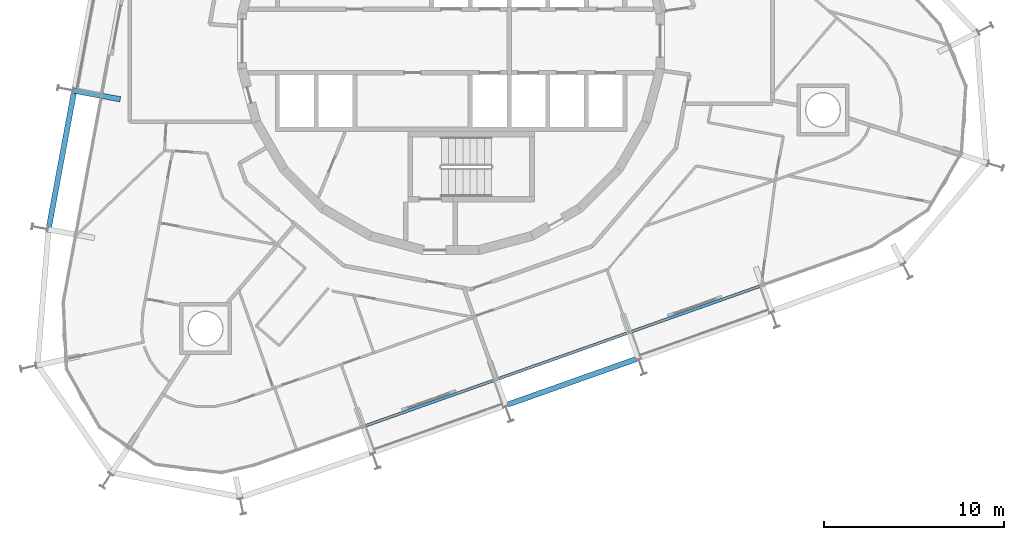
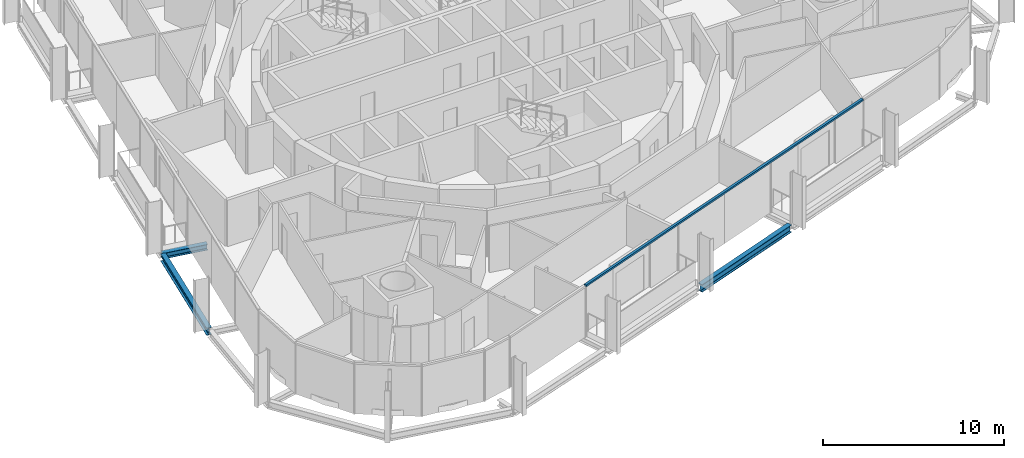
# One storey, part 3 of 17: 3 beams, 1 member, 1 element without a shape of its own.
"""IFC4 building model written with IfcOpenShell, lengths in metres."""

from ifc_helpers import new_model, si_unit, direction, frame, origin, origin_2d, place, context, subcontext, project, spatial, rectangle, i_section, extrude, material, layer, layer_set, material_profile, profile_set, type_object, element, aggregate, save


model = new_model("IFC4")

# Units and contexts
model_context = context("Model", 3, precision=1e-05, world=origin(), true_north=direction((0.0, 1.0)))
body_context = subcontext(model_context, "Body", "Model", "MODEL_VIEW")
ifc_project = project(units=[si_unit("LENGTHUNIT", "METRE"), si_unit("AREAUNIT", "SQUARE_METRE"), si_unit("VOLUMEUNIT", "CUBIC_METRE"), si_unit("PLANEANGLEUNIT", "RADIAN"), si_unit("MASSUNIT", "GRAM", prefix="KILO")], contexts=[model_context])

# Site, building, storey
site_placement = place(None, origin())
site = spatial("IfcSite", under=ifc_project, at=site_placement, CompositionType="ELEMENT")
building_placement = place(site_placement, origin())
building = spatial("IfcBuilding", under=site, at=building_placement, Name="Spindle Arch Residences", CompositionType="ELEMENT")
storey_placement = place(building_placement, frame((0.0, 0.0, 172.699951171875)))
storey = spatial("IfcBuildingStorey", under=building, at=storey_placement, Name="L43", CompositionType="ELEMENT", Elevation=172.699951171875)

# Curtain wall, member
ifc_material_1 = material(Name="Aluminium bronze unitised frame with tinted glass", Category="aluminium")
ifc_layer = layer(ifc_material_1, 0.159912109375)
ifc_layer_set = layer_set([ifc_layer], Name="CW-C typical residential unitised wall")
curtain_wall_type = type_object("IfcCurtainWallType", Name="CW-C typical residential unitised wall", PredefinedType="NOTDEFINED", material=ifc_layer_set)
curtain_wall_placement = place(storey_placement, origin())
curtain_wall = element("IfcCurtainWall", 1, at=curtain_wall_placement, inside=storey, type_object=curtain_wall_type, Name="CW-C L43 run 6", PredefinedType="NOTDEFINED")
ifc_material_2 = material(Name="Aluminium bronze anodised transom", Category="aluminium")
ifc_material_profile_1 = material_profile(ifc_material_2, rectangle(XDim=0.159912109375, YDim=0.1201171875, at=origin_2d()), Name="TR 120x160")
ifc_profile_set_1 = profile_set([ifc_material_profile_1], Name="Aluminium bronze anodised transom")
member_type = type_object("IfcMemberType", Name="Bronze transom 120x160", PredefinedType="USERDEFINED", material=ifc_profile_set_1)
member_placement = place(storey_placement, frame((-4.87255859375, -21.470947265625, 3.06005859375), z_axis=(0.94264008639, 0.333810825963, 0.0), x_axis=(-0.333810825963, 0.94264008639, 0.0)))
member = element("IfcMember", 2, at=member_placement, type_object=member_type, Name="CW-C transom 00", ObjectType="TRANSOM", PredefinedType="USERDEFINED", context=body_context, shape_type="SweptSolid", body=[
    extrude(rectangle(XDim=0.159912109375, YDim=0.1201171875, at=origin_2d()), origin(), (0.0, 0.0, 1.0), 23.520263671875),
])
aggregate(curtain_wall, [member])

# Beams
ifc_material_3 = material(Name="Steel S460ML, intumescent coating R 120", Category="steel")
ifc_material_profile_2 = material_profile(ifc_material_3, i_section(OverallWidth=0.300048828125, OverallDepth=0.5, WebThickness=0.014404296875, FlangeThickness=0.028076171875, FilletRadius=0.027099609375, at=origin_2d()), Name="HEB 500")
ifc_profile_set_2 = profile_set([ifc_material_profile_2], Name="Steel S460ML, intumescent coating R 120")
beam_type_1 = type_object("IfcBeamType", Name="Exoskeleton edge beam HEB 500", PredefinedType="BEAM", material=ifc_profile_set_2)
for number, where, z_axis, x_axis, name in (
    (3, (-21.02294921875, -2.8974609375, -0.6298828125), (-0.182234195466, -0.983255154069, 0.0), (0.983255154069, -0.182234195466, 0.0), "Exoskeleton edge beam 16"),
    (4, (3.141845703125, -20.256103515625, -0.6298828125), (0.942633964352, 0.33382811333, 0.0), (-0.33382811333, 0.942633964352, 0.0), "Exoskeleton edge beam 22"),
):
    element("IfcBeam", number, at=place(storey_placement, frame(where, z_axis=z_axis, x_axis=x_axis)), inside=storey, type_object=beam_type_1, Name=name, PredefinedType="BEAM", context=body_context, shape_type="SweptSolid", body=[
        extrude(i_section(OverallWidth=0.300048828125, OverallDepth=0.5, WebThickness=0.014404296875, FlangeThickness=0.028076171875, FilletRadius=0.027099609375, at=origin_2d()), origin(), (0.0, 0.0, 1.0), 7.60009765625),
    ])
ifc_material_4 = material(Name="Steel S460ML, intumescent coating R 120", Category="steel")
ifc_material_profile_3 = material_profile(ifc_material_4, i_section(OverallWidth=0.300048828125, OverallDepth=0.389892578125, WebThickness=0.010986328125, FlangeThickness=0.01904296875, FilletRadius=0.027099609375, at=origin_2d()), Name="HEA 400")
ifc_profile_set_3 = profile_set([ifc_material_profile_3], Name="Steel S460ML, intumescent coating R 120")
beam_type_2 = type_object("IfcBeamType", Name="Floor outrigger HEA 400", PredefinedType="BEAM", material=ifc_profile_set_3)
beam_placement = place(storey_placement, frame((-21.03857421875, -2.76220703125, -0.574951171875), z_axis=(0.983253888741, -0.182241022482, 0.0), x_axis=(0.182241022482, 0.983253888741, 0.0)))
element("IfcBeam", 5, at=beam_placement, inside=storey, type_object=beam_type_2, Name="Floor outrigger 16", PredefinedType="BEAM", context=body_context, shape_type="SweptSolid", body=[
    extrude(i_section(OverallWidth=0.300048828125, OverallDepth=0.389892578125, WebThickness=0.010986328125, FlangeThickness=0.01904296875, FilletRadius=0.027099609375, at=origin_2d()), origin(), (0.0, 0.0, 1.0), 2.64990234375),
])

save(model, "model.ifc")
